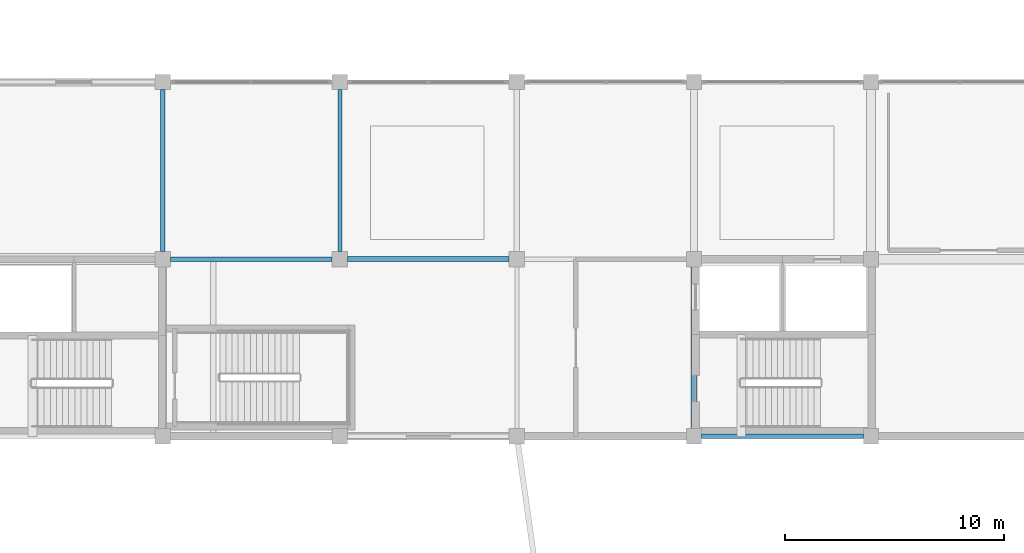
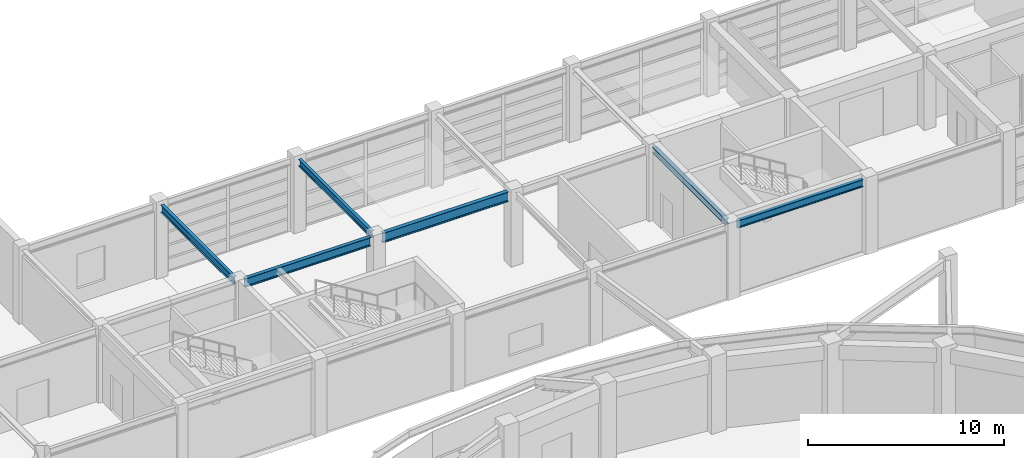
# One storey, part 23 of 56: 6 beams.
"""IFC4 building model written with IfcOpenShell, lengths in metres."""

import ifcopenshell
import ifcopenshell.guid

model = None  # the IFC model being written
_history = None  # IfcOwnerHistory: only IFC2X3 demands one
_inside = {}  # id of a spatial element -> (the spatial element, [elements in it])
_under = {}  # id of a project, library or spatial element -> (it, [spatial elements below it])
_declared = {}  # id of a project -> (the project, [libraries it declares])
_typed = {}  # id of a type object -> (the type object, [elements of that type])
_made_of = {}  # id of a material, layer set ... -> (it, [elements and type objects made of it])


def new_model(schema):
    """Start an empty IFC model of exactly this schema.

    Asked for "IFC4X3", IfcOpenShell would pick the latest addendum, in which some entities
    have other attributes; the version numbers below select the first issue.
    IFC2X3 requires an IfcOwnerHistory on every rooted entity: one is made here for all.
    """
    global model, _history
    if schema == "IFC4X3":
        model = ifcopenshell.file(schema_version=(4, 3, 0, 0))
    else:
        model = ifcopenshell.file(schema=schema)
    _inside.clear()
    _under.clear()
    _declared.clear()
    _typed.clear()
    _made_of.clear()
    _history = None
    if model.schema == "IFC2X3":
        org = make("IfcOrganization", Name="unknown")
        user = make(
            "IfcPersonAndOrganization",
            ThePerson=make("IfcPerson", FamilyName="unknown"),
            TheOrganization=org,
        )
        app = make(
            "IfcApplication",
            ApplicationDeveloper=org,
            Version="unknown",
            ApplicationFullName="unknown",
            ApplicationIdentifier="unknown",
        )
        _history = make(
            "IfcOwnerHistory",
            OwningUser=user,
            OwningApplication=app,
            ChangeAction="ADDED",
            CreationDate=0,
        )
    return model


def make(cls, **values):
    """One entity of the class cls with the attributes given. An attribute that is None is left unset."""
    return model.create_entity(
        cls, **{name: value for name, value in values.items() if value is not None}
    )


def rooted(cls, **values):
    """An entity with a GlobalId (a new one), such as an element, a storey or a relation."""
    return make(cls, GlobalId=ifcopenshell.guid.new(), OwnerHistory=_history, **values)


def si_unit(unit_type, name, prefix=None):
    """IfcSIUnit, for example si_unit("LENGTHUNIT", "METRE", prefix="MILLI")."""
    return make("IfcSIUnit", UnitType=unit_type, Prefix=prefix, Name=name)


def assignment(units):
    """IfcUnitAssignment: the units of a project."""
    return None if units is None else make("IfcUnitAssignment", Units=units)


def point(xyz):
    """IfcCartesianPoint."""
    return None if xyz is None else make("IfcCartesianPoint", Coordinates=xyz)


def direction(xyz):
    """IfcDirection."""
    return None if xyz is None else make("IfcDirection", DirectionRatios=xyz)


def frame(location, z_axis=None, x_axis=None):
    """IfcAxis2Placement3D, a coordinate frame: its origin and axes. An axis left out is left unset."""
    return make(
        "IfcAxis2Placement3D",
        Location=point(location),
        Axis=direction(z_axis),
        RefDirection=direction(x_axis),
    )


def frame_2d(location, x_axis=None):
    """IfcAxis2Placement2D, a coordinate frame in the plane: its origin and x axis."""
    return make(
        "IfcAxis2Placement2D", Location=point(location), RefDirection=direction(x_axis)
    )


def origin():
    """The frame at (0, 0, 0) with its axes left unset."""
    return frame((0.0, 0.0, 0.0))


def origin_2d():
    """The frame at (0, 0) in the plane with its x axis left unset."""
    return frame_2d((0.0, 0.0))


def place(relative_to, where):
    """IfcLocalPlacement: puts the frame where relative to a parent placement (None: the world)."""
    return make(
        "IfcLocalPlacement", PlacementRelTo=relative_to, RelativePlacement=where
    )


def context(
    kind, dimensions, precision=None, world=None, true_north=None, identifier=None
):
    """IfcGeometricRepresentationContext, for example the 3D "Model" context."""
    return make(
        "IfcGeometricRepresentationContext",
        ContextIdentifier=identifier,
        ContextType=kind,
        CoordinateSpaceDimension=dimensions,
        Precision=precision,
        WorldCoordinateSystem=world,
        TrueNorth=true_north,
    )


def subcontext(parent, identifier, kind, view, scale=None):
    """IfcGeometricRepresentationSubContext, for example "Body" below "Model"."""
    return make(
        "IfcGeometricRepresentationSubContext",
        ContextIdentifier=identifier,
        ContextType=kind,
        ParentContext=parent,
        TargetScale=scale,
        TargetView=view,
    )


def project(units=None, contexts=None):
    """IfcProject with its units and contexts."""
    return rooted(
        "IfcProject",
        Name="project",
        RepresentationContexts=contexts,
        UnitsInContext=assignment(units),
    )


def spatial(cls, under=None, at=None, **own):
    """A site, building, storey or space (cls), placed at a placement, below another one or the project."""
    s = rooted(cls, ObjectPlacement=at, **own)
    if under is not None:
        _under.setdefault(under.id(), (under, []))[1].append(s)
    return s


def profile(cls, at=None, kind="AREA", **sizes):
    """A parametric profile (cls). Its sizes go by their IFC names, for example OverallWidth=200.0."""
    return make(cls, ProfileType=kind, Position=at, **sizes)


def i_section(**sizes):
    """IfcIShapeProfileDef."""
    return profile("IfcIShapeProfileDef", **sizes)


def extrude(swept, where, along, depth):
    """IfcExtrudedAreaSolid: the profile swept, set in the frame where, extruded along a direction by depth."""
    return make(
        "IfcExtrudedAreaSolid",
        SweptArea=swept,
        Position=where,
        ExtrudedDirection=direction(along),
        Depth=depth,
    )


def shape(context_of_items, identifier, shape_type, items):
    """IfcShapeRepresentation: the items that make up one representation, for example the "Body"."""
    return make(
        "IfcShapeRepresentation",
        ContextOfItems=context_of_items,
        RepresentationIdentifier=identifier,
        RepresentationType=shape_type,
        Items=items,
    )


def material(Name=None, Category=None):
    """IfcMaterial."""
    return make("IfcMaterial", Name=Name, Category=Category)


def material_profile(
    of_material, cross_section, Name=None, Category=None, Priority=None
):
    """IfcMaterialProfile: a cross section and its material."""
    return make(
        "IfcMaterialProfile",
        Name=Name,
        Material=of_material,
        Profile=cross_section,
        Priority=Priority,
        Category=Category,
    )


def profile_set(profiles, Name=None, composite=None):
    """IfcMaterialProfileSet."""
    return make(
        "IfcMaterialProfileSet",
        Name=Name,
        MaterialProfiles=profiles,
        CompositeProfile=composite,
    )


def made_of(thing, what):
    """Note that an element or type object is made of a material, layer set ...; save() writes the relation."""
    if what is not None:
        _made_of.setdefault(what.id(), (what, []))[1].append(thing)
    return thing


def type_object(cls, material=None, **own):
    """A type object (cls), such as IfcWallType, which elements share."""
    return made_of(rooted(cls, **own), material)


def element(
    cls,
    number,
    at=None,
    inside=None,
    cuts=None,
    type_object=None,
    material=None,
    context=None,
    identifier="Body",
    shape_type=None,
    held_by="IfcProductDefinitionShape",
    body=None,
    shapes=None,
    **own,
):
    """One element of the class cls, such as IfcWall. Its Tag is "e" and its number.

    at: its placement. inside: the storey or other place that contains it. cuts: it is an
    opening in that element (IfcRelVoidsElement). A single representation is given by context,
    identifier, shape_type and body (its items); several are given by shapes. held_by: the class
    of the entity that holds the representations. save() writes the other relations.
    """
    e = rooted(cls, Tag="e%d" % number, ObjectPlacement=at, **own)
    if body is not None:
        shapes = [shape(context, identifier, shape_type, body)]
    if shapes is not None:
        e.Representation = make(held_by, Representations=shapes)
    if inside is not None:
        _inside.setdefault(inside.id(), (inside, []))[1].append(e)
    if cuts is not None:
        rooted(
            "IfcRelVoidsElement", RelatingBuildingElement=cuts, RelatedOpeningElement=e
        )
    if type_object is not None:
        _typed.setdefault(type_object.id(), (type_object, []))[1].append(e)
    return made_of(e, material)


def aggregate(whole, parts):
    """IfcRelAggregates: a whole, such as a stair, and the parts it consists of."""
    return rooted("IfcRelAggregates", RelatingObject=whole, RelatedObjects=parts)


def save(model, path):
    """Write the relations noted so far, then the file.

    IfcRelAggregates (storeys below a building ...), IfcRelContainedInSpatialStructure (elements
    in a storey), IfcRelDefinesByType, IfcRelAssociatesMaterial and IfcRelDeclares: one each for
    every whole, place, type object, material and project.
    """
    for whole, parts in _under.values():
        aggregate(whole, parts)
    for where, things in _inside.values():
        rooted(
            "IfcRelContainedInSpatialStructure",
            RelatedElements=things,
            RelatingStructure=where,
        )
    for kind, things in _typed.values():
        rooted("IfcRelDefinesByType", RelatedObjects=things, RelatingType=kind)
    for what, things in _made_of.values():
        rooted("IfcRelAssociatesMaterial", RelatedObjects=things, RelatingMaterial=what)
    for by, libraries in _declared.values():
        rooted("IfcRelDeclares", RelatingContext=by, RelatedDefinitions=libraries)
    model.write(path)


model = new_model("IFC4")

# Units and contexts
model_context = context("Model", 3, precision=1e-05, world=origin(), true_north=direction((0.0, 1.0)))
body_context = subcontext(model_context, "Body", "Model", "MODEL_VIEW")
ifc_project = project(units=[si_unit("LENGTHUNIT", "METRE"), si_unit("AREAUNIT", "SQUARE_METRE"), si_unit("VOLUMEUNIT", "CUBIC_METRE"), si_unit("PLANEANGLEUNIT", "RADIAN"), si_unit("MASSUNIT", "GRAM", prefix="KILO")], contexts=[model_context])

# Site, building, storey
site_placement = place(None, origin())
site = spatial("IfcSite", under=ifc_project, at=site_placement, CompositionType="ELEMENT")
building_placement = place(site_placement, origin())
building = spatial("IfcBuilding", under=site, at=building_placement, Name="Parian Resonance Hall", CompositionType="ELEMENT")
storey_placement = place(building_placement, frame((0.0, 0.0, 5.39990234375)))
storey = spatial("IfcBuildingStorey", under=building, at=storey_placement, Name="L01", CompositionType="ELEMENT", Elevation=5.39990234375)

# Beams
ifc_material_1 = material(Name="Steel S355", Category="steel")
ifc_material_profile_1 = material_profile(ifc_material_1, i_section(OverallWidth=0.2548828125, OverallDepth=0.35693359375, WebThickness=0.010498046875, FlangeThickness=0.018310546875, FilletRadius=0.01513671875, at=origin_2d()), Name="W360x101")
ifc_profile_set_1 = profile_set([ifc_material_profile_1], Name="Steel S355")
beam_type_1 = type_object("IfcBeamType", Name="BM-W360x101", PredefinedType="SPANDREL", material=ifc_profile_set_1)
beam_1_placement = place(storey_placement, frame((56.699951171875, 73.25, 4.381591796875), z_axis=(0.0, 1.0, 0.0), x_axis=(-1.0, 0.0, 0.0)))
element("IfcBeam", 1, at=beam_1_placement, inside=storey, type_object=beam_type_1, Name="GY-L01-0603", PredefinedType="SPANDREL", context=body_context, shape_type="SweptSolid", body=[
    extrude(i_section(OverallWidth=0.2548828125, OverallDepth=0.35693359375, WebThickness=0.010498046875, FlangeThickness=0.018310546875, FilletRadius=0.01513671875, at=origin_2d()), origin(), (0.0, 0.0, 1.0), 7.39990234375),
])
ifc_material_2 = material(Name="Steel S355", Category="steel")
ifc_material_profile_2 = material_profile(ifc_material_2, i_section(OverallWidth=0.180908203125, OverallDepth=0.4169921875, WebThickness=0.010986328125, FlangeThickness=0.018310546875, FilletRadius=0.01513671875, at=origin_2d()), Name="W410x85")
ifc_profile_set_2 = profile_set([ifc_material_profile_2], Name="Steel S355")
beam_type_2 = type_object("IfcBeamType", Name="BM-W410x85", PredefinedType="SPANDREL", material=ifc_profile_set_2)
beam_2_placement = place(storey_placement, frame((40.5, 81.35009765625, 4.3515625), z_axis=(0.0, 1.0, 0.0), x_axis=(-1.0, 0.0, 0.0)))
element("IfcBeam", 2, at=beam_2_placement, inside=storey, type_object=beam_type_2, Name="GY-L01-0600", PredefinedType="SPANDREL", context=body_context, shape_type="SweptSolid", body=[
    extrude(i_section(OverallWidth=0.180908203125, OverallDepth=0.4169921875, WebThickness=0.010986328125, FlangeThickness=0.018310546875, FilletRadius=0.01513671875, at=origin_2d()), origin(), (0.0, 0.0, 1.0), 7.39990234375),
])
ifc_material_3 = material(Name="Steel S355", Category="steel")
ifc_material_profile_3 = material_profile(ifc_material_3, i_section(OverallWidth=0.194091796875, OverallDepth=0.468994140625, WebThickness=0.0126953125, FlangeThickness=0.0205078125, FilletRadius=0.01513671875, at=origin_2d()), Name="W460x106")
ifc_profile_set_3 = profile_set([ifc_material_profile_3], Name="Steel S355")
beam_type_3 = type_object("IfcBeamType", Name="BM-W460x106", PredefinedType="SPANDREL", material=ifc_profile_set_3)
for number, where, z_axis, x_axis, name in (
    (3, (57.050048828125, 72.89990234375, 4.32568359375), (1.0, 0.0, 0.0), (0.0, 1.0, 0.0), "GX-L01-0538"),
    (4, (32.39990234375, 81.35009765625, 4.32568359375), (0.0, 1.0, 0.0), (-1.0, 0.0, 0.0), "GY-L01-0599"),
):
    element("IfcBeam", number, at=place(storey_placement, frame(where, z_axis=z_axis, x_axis=x_axis)), inside=storey, type_object=beam_type_3, Name=name, PredefinedType="SPANDREL", context=body_context, shape_type="SweptSolid", body=[
        extrude(i_section(OverallWidth=0.194091796875, OverallDepth=0.468994140625, WebThickness=0.0126953125, FlangeThickness=0.0205078125, FilletRadius=0.01513671875, at=origin_2d()), origin(), (0.0, 0.0, 1.0), 7.39990234375),
    ])
ifc_material_4 = material(Name="Steel S355", Category="steel")
ifc_material_profile_4 = material_profile(ifc_material_4, i_section(OverallWidth=0.2119140625, OverallDepth=0.5439453125, WebThickness=0.01318359375, FlangeThickness=0.021240234375, FilletRadius=0.017822265625, at=origin_2d()), Name="W530x123")
ifc_profile_set_4 = profile_set([ifc_material_profile_4], Name="Steel S355")
beam_type_4 = type_object("IfcBeamType", Name="BM-W530x123", PredefinedType="USERDEFINED", material=ifc_profile_set_4)
beam_3_placement = place(storey_placement, frame((32.75, 81.0, 4.2880859375), z_axis=(1.0, 0.0, 0.0), x_axis=(0.0, 1.0, 0.0)))
element("IfcBeam", 5, at=beam_3_placement, inside=storey, type_object=beam_type_4, Name="GX-L01-0530", ObjectType="GIRDER", PredefinedType="USERDEFINED", context=body_context, shape_type="SweptSolid", body=[
    extrude(i_section(OverallWidth=0.2119140625, OverallDepth=0.5439453125, WebThickness=0.01318359375, FlangeThickness=0.021240234375, FilletRadius=0.017822265625, at=origin_2d()), origin(), (0.0, 0.0, 1.0), 7.39990234375),
])
ifc_material_5 = material(Name="Steel S355", Category="steel")
ifc_material_profile_5 = material_profile(ifc_material_5, i_section(OverallWidth=0.22802734375, OverallDepth=0.60791015625, WebThickness=0.01123046875, FlangeThickness=0.017333984375, FilletRadius=0.017822265625, at=origin_2d()), Name="W610x113")
ifc_profile_set_5 = profile_set([ifc_material_profile_5], Name="Steel S355")
beam_type_5 = type_object("IfcBeamType", Name="BM-W610x113", PredefinedType="USERDEFINED", material=ifc_profile_set_5)
beam_4_placement = place(storey_placement, frame((40.85009765625, 81.0, 4.256103515625), z_axis=(1.0, 0.0, 0.0), x_axis=(0.0, 1.0, 0.0)))
element("IfcBeam", 6, at=beam_4_placement, inside=storey, type_object=beam_type_5, Name="GX-L01-0533", ObjectType="GIRDER", PredefinedType="USERDEFINED", context=body_context, shape_type="SweptSolid", body=[
    extrude(i_section(OverallWidth=0.22802734375, OverallDepth=0.60791015625, WebThickness=0.01123046875, FlangeThickness=0.017333984375, FilletRadius=0.017822265625, at=origin_2d()), origin(), (0.0, 0.0, 1.0), 7.39990234375),
])

save(model, "model.ifc")
